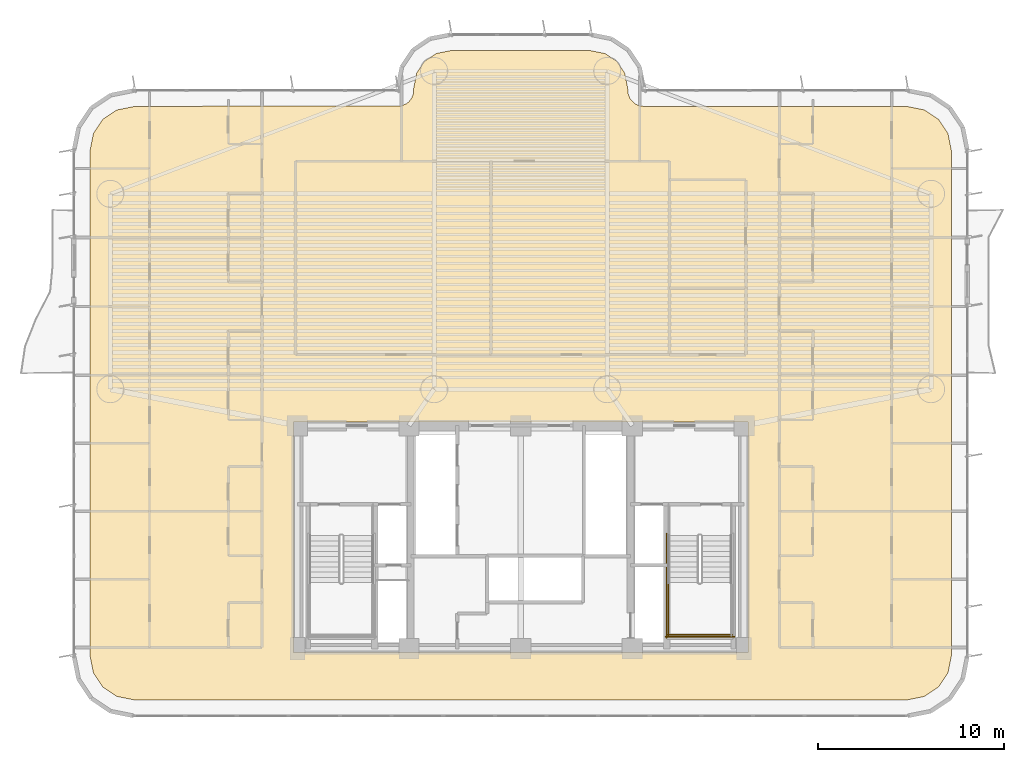
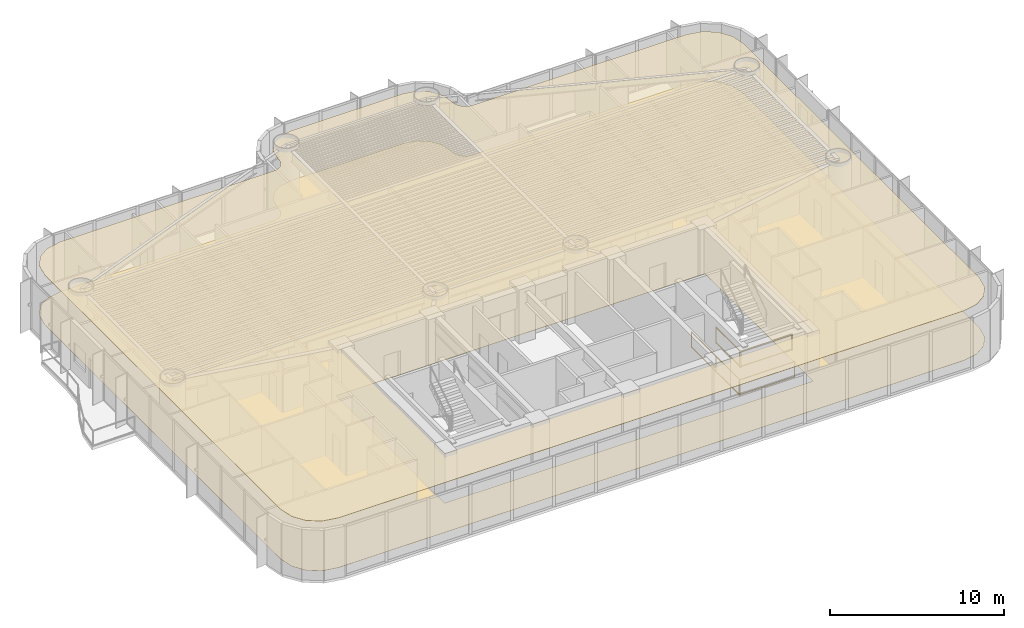
# One storey, part 17 of 19: 4 railings, 2 coverings.
"""IFC4 building model written with IfcOpenShell, lengths in metres."""

from ifc_helpers import new_model, si_unit, direction, frame, origin, origin_2d, place, context, subcontext, project, spatial, polyline, rectangle, outline, extrude, material, layer, layer_set, type_object, element, save


model = new_model("IFC4")

# Units and contexts
model_context = context("Model", 3, precision=1e-05, world=origin(), true_north=direction((0.0, 1.0)))
body_context = subcontext(model_context, "Body", "Model", "MODEL_VIEW")
ifc_project = project(units=[si_unit("LENGTHUNIT", "METRE"), si_unit("AREAUNIT", "SQUARE_METRE"), si_unit("VOLUMEUNIT", "CUBIC_METRE"), si_unit("PLANEANGLEUNIT", "RADIAN"), si_unit("MASSUNIT", "GRAM", prefix="KILO")], contexts=[model_context])

# Site, building, storey
site_placement = place(None, origin())
site = spatial("IfcSite", under=ifc_project, at=site_placement, CompositionType="ELEMENT")
building_placement = place(site_placement, origin())
building = spatial("IfcBuilding", under=site, at=building_placement, Name="Brelvock Crest Care Tower", CompositionType="ELEMENT")
storey_placement = place(building_placement, frame((0.0, 0.0, 30.780029296875)))
storey = spatial("IfcBuildingStorey", under=building, at=storey_placement, Name="L07", CompositionType="ELEMENT", Elevation=30.780029296875)

# Coverings
ifc_material_1 = material(Name="Mineral Fibre Acoustic Ceiling Tile", Category="gypsum")
ifc_layer_1 = layer(ifc_material_1, 0.02490234375, Name="COV-CLG1")
ifc_layer_set_1 = layer_set([ifc_layer_1], Name="Mineral Fibre Acoustic Ceiling Tile")
covering_type_1 = type_object("IfcCoveringType", Name="COV-CLG1", PredefinedType="CEILING", material=ifc_layer_set_1)
covering_1_placement = place(storey_placement, frame((0.0, 0.0, 3.474853515625)))
element("IfcCovering", 1, at=covering_1_placement, inside=storey, type_object=covering_type_1, Name="L07 Acoustic Suspended Ceiling 1", PredefinedType="CEILING", context=body_context, shape_type="SweptSolid", body=[
    extrude(outline(polyline([(56.71630859375, 35.14990234375), (42.5166015625, 35.154052734375), (42.353271484375, 35.1865234375), (42.127685546875, 35.293212890625), (41.893310546875, 35.52783203125), (41.766357421875, 35.834228515625), (41.75, 36.1162109375), (41.586181640625, 36.939697265625), (41.1669921875, 37.567138671875), (40.539794921875, 37.986083984375), (39.71630859375, 38.14990234375), (32.28369140625, 38.14990234375), (31.460205078125, 37.986083984375), (30.8330078125, 37.567138671875), (30.413818359375, 36.939697265625), (30.25, 36.1162109375), (30.233642578125, 35.834228515625), (30.149658203125, 35.599365234375), (30.0009765625, 35.39892578125), (29.872314453125, 35.293212890625), (29.56591796875, 35.166259765625), (15.28369140625, 35.14990234375), (14.30712890625, 34.955810546875), (13.550048828125, 34.449951171875), (13.044189453125, 33.69287109375), (12.85009765625, 32.71630859375), (12.85009765625, 5.68359375), (13.044189453125, 4.70703125), (13.550048828125, 3.9501953125), (14.30712890625, 3.4443359375), (15.28369140625, 3.25), (56.71630859375, 3.25), (57.69287109375, 3.4443359375), (58.449951171875, 3.9501953125), (58.955810546875, 4.70703125), (59.14990234375, 5.68359375), (59.14990234375, 32.71630859375), (58.955810546875, 33.69287109375), (58.449951171875, 34.449951171875), (57.69287109375, 34.955810546875), (56.71630859375, 35.14990234375)]), holes=[polyline([(48.199951171875, 5.800048828125), (48.199951171875, 18.199951171875), (23.800048828125, 18.199951171875), (23.800048828125, 5.800048828125), (48.199951171875, 5.800048828125)])]), origin(), (0.0, 0.0, 1.0), 0.025146484375),
])
ifc_material_2 = material(Name="Slip-Resistant Acoustic Vinyl Flooring", Category="finish")
ifc_layer_2 = layer(ifc_material_2, 0.014892578125, Name="COV-FLR1")
ifc_layer_set_2 = layer_set([ifc_layer_2], Name="Slip-Resistant Acoustic Vinyl Flooring")
covering_type_2 = type_object("IfcCoveringType", Name="COV-FLR1", PredefinedType="FLOORING", material=ifc_layer_set_2)
covering_2_placement = place(storey_placement, origin())
element("IfcCovering", 2, at=covering_2_placement, inside=storey, type_object=covering_type_2, Name="L07 Slip-Resistant Acoustic Flooring 1", PredefinedType="FLOORING", context=body_context, shape_type="SweptSolid", body=[
    extrude(outline(polyline([(56.71630859375, 35.14990234375), (42.5166015625, 35.154052734375), (42.353271484375, 35.1865234375), (42.127685546875, 35.293212890625), (41.893310546875, 35.52783203125), (41.766357421875, 35.834228515625), (41.75, 36.1162109375), (41.586181640625, 36.939697265625), (41.1669921875, 37.567138671875), (40.539794921875, 37.986083984375), (39.71630859375, 38.14990234375), (32.28369140625, 38.14990234375), (31.460205078125, 37.986083984375), (30.8330078125, 37.567138671875), (30.413818359375, 36.939697265625), (30.25, 36.1162109375), (30.233642578125, 35.834228515625), (30.149658203125, 35.599365234375), (30.0009765625, 35.39892578125), (29.872314453125, 35.293212890625), (29.56591796875, 35.166259765625), (15.28369140625, 35.14990234375), (14.30712890625, 34.955810546875), (13.550048828125, 34.449951171875), (13.044189453125, 33.69287109375), (12.85009765625, 32.71630859375), (12.85009765625, 5.68359375), (13.044189453125, 4.70703125), (13.550048828125, 3.9501953125), (14.30712890625, 3.4443359375), (15.28369140625, 3.25), (56.71630859375, 3.25), (57.69287109375, 3.4443359375), (58.449951171875, 3.9501953125), (58.955810546875, 4.70703125), (59.14990234375, 5.68359375), (59.14990234375, 32.71630859375), (58.955810546875, 33.69287109375), (58.449951171875, 34.449951171875), (57.69287109375, 34.955810546875), (56.71630859375, 35.14990234375)]), holes=[polyline([(48.199951171875, 5.800048828125), (48.199951171875, 18.199951171875), (23.800048828125, 18.199951171875), (23.800048828125, 5.800048828125), (48.199951171875, 5.800048828125)])]), origin(), (0.0, 0.0, 1.0), 0.014892578125),
])

# Railings
ifc_material_3 = material(Name="Steel Grade 350", Category="steel")
ifc_layer_3 = layer(ifc_material_3, 0.050048828125, Name="RL-STG1")
ifc_layer_set_3 = layer_set([ifc_layer_3], Name="Steel Grade 350")
railing_type = type_object("IfcRailingType", Name="RL-STG1", PredefinedType="GUARDRAIL", material=ifc_layer_set_3)
railing_1_placement = place(storey_placement, frame((43.93994140625, 9.56005859375, 1.889892578125)))
element("IfcRailing", 3, at=railing_1_placement, inside=storey, type_object=railing_type, Name="L07 ST-2 stair guard 3", PredefinedType="GUARDRAIL", context=body_context, shape_type="SweptSolid", body=[
    extrude(rectangle(XDim=0.048095703125, YDim=0.048095703125, at=origin_2d()), frame((0.0, -0.001953125, 1.11572265625), z_axis=(0.0, -1.0, 0.0), x_axis=(1.0, 0.0, 0.0)), (0.0, 0.0, 1.0), 2.856201171875),
    extrude(rectangle(XDim=0.048095703125, YDim=0.048095703125, at=origin_2d()), frame((0.0, -0.001953125, 0.054931640625), z_axis=(0.0, -1.0, 0.0), x_axis=(1.0, 0.0, 0.0)), (0.0, 0.0, 1.0), 2.856201171875),
    extrude(rectangle(XDim=0.0419921875, YDim=0.0419921875, at=origin_2d()), origin(), (0.0, 0.0, 1.0), 1.08984375),
    extrude(rectangle(XDim=0.0419921875, YDim=0.0419921875, at=origin_2d()), frame((0.0, -2.860107421875, 0.0)), (0.0, 0.0, 1.0), 1.08984375),
])
railing_2_placement = place(storey_placement, frame((43.889892578125, 6.75, 1.889892578125)))
element("IfcRailing", 4, at=railing_2_placement, inside=storey, type_object=railing_type, Name="L07 ST-2 stair guard 5", PredefinedType="GUARDRAIL", context=body_context, shape_type="SweptSolid", body=[
    extrude(rectangle(XDim=0.048095703125, YDim=0.048095703125, at=origin_2d()), frame((0.001953125, 0.0, 1.11572265625), z_axis=(1.0, 0.0, 0.0), x_axis=(0.0, 1.0, 0.0)), (0.0, 0.0, 1.0), 3.476318359375),
    extrude(rectangle(XDim=0.048095703125, YDim=0.048095703125, at=origin_2d()), frame((0.001953125, 0.0, 0.054931640625), z_axis=(1.0, 0.0, 0.0), x_axis=(0.0, 1.0, 0.0)), (0.0, 0.0, 1.0), 3.476318359375),
    extrude(rectangle(XDim=0.0419921875, YDim=0.0419921875, at=origin_2d()), origin(), (0.0, 0.0, 1.0), 1.08984375),
    extrude(rectangle(XDim=0.0419921875, YDim=0.0419921875, at=origin_2d()), frame((3.480224609375, 0.0, 0.0)), (0.0, 0.0, 1.0), 1.08984375),
])
railing_3_placement = place(storey_placement, frame((43.840087890625, 12.179931640625, 0.0)))
element("IfcRailing", 5, at=railing_3_placement, inside=storey, type_object=railing_type, Name="L07 ST-2 stair guard 10", PredefinedType="GUARDRAIL", context=body_context, shape_type="SweptSolid", body=[
    extrude(rectangle(XDim=0.048095703125, YDim=0.048095703125, at=origin_2d()), frame((0.0, -0.001953125, 1.11572265625), z_axis=(0.0, -1.0, 0.0), x_axis=(1.0, 0.0, 0.0)), (0.0, 0.0, 1.0), 5.575927734375),
    extrude(rectangle(XDim=0.048095703125, YDim=0.048095703125, at=origin_2d()), frame((0.0, -0.001953125, 0.054931640625), z_axis=(0.0, -1.0, 0.0), x_axis=(1.0, 0.0, 0.0)), (0.0, 0.0, 1.0), 5.575927734375),
    extrude(rectangle(XDim=0.0419921875, YDim=0.0419921875, at=origin_2d()), origin(), (0.0, 0.0, 1.0), 1.08984375),
    extrude(rectangle(XDim=0.0419921875, YDim=0.0419921875, at=origin_2d()), frame((0.0, -2.7900390625, 0.0)), (0.0, 0.0, 1.0), 1.08984375),
    extrude(rectangle(XDim=0.0419921875, YDim=0.0419921875, at=origin_2d()), frame((0.0, -5.579833984375, 0.0)), (0.0, 0.0, 1.0), 1.08984375),
])
railing_4_placement = place(storey_placement, frame((43.7900390625, 6.64990234375, 0.0)))
element("IfcRailing", 6, at=railing_4_placement, inside=storey, type_object=railing_type, Name="L07 ST-2 stair guard 12", PredefinedType="GUARDRAIL", context=body_context, shape_type="SweptSolid", body=[
    extrude(rectangle(XDim=0.048095703125, YDim=0.048095703125, at=origin_2d()), frame((0.001953125, 0.0, 1.11572265625), z_axis=(1.0, 0.0, 0.0), x_axis=(0.0, 1.0, 0.0)), (0.0, 0.0, 1.0), 3.676025390625),
    extrude(rectangle(XDim=0.048095703125, YDim=0.048095703125, at=origin_2d()), frame((0.001953125, 0.0, 0.054931640625), z_axis=(1.0, 0.0, 0.0), x_axis=(0.0, 1.0, 0.0)), (0.0, 0.0, 1.0), 3.676025390625),
    extrude(rectangle(XDim=0.0419921875, YDim=0.0419921875, at=origin_2d()), origin(), (0.0, 0.0, 1.0), 1.08984375),
    extrude(rectangle(XDim=0.0419921875, YDim=0.0419921875, at=origin_2d()), frame((3.679931640625, 0.0, 0.0)), (0.0, 0.0, 1.0), 1.08984375),
])

save(model, "model.ifc")
